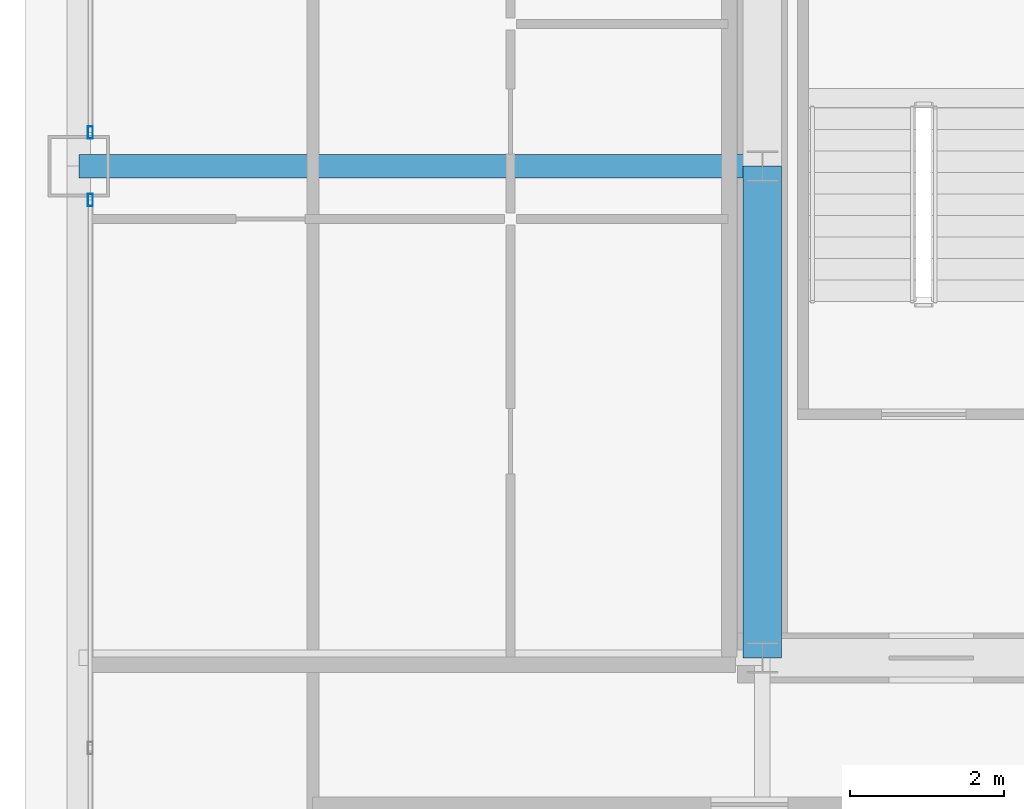
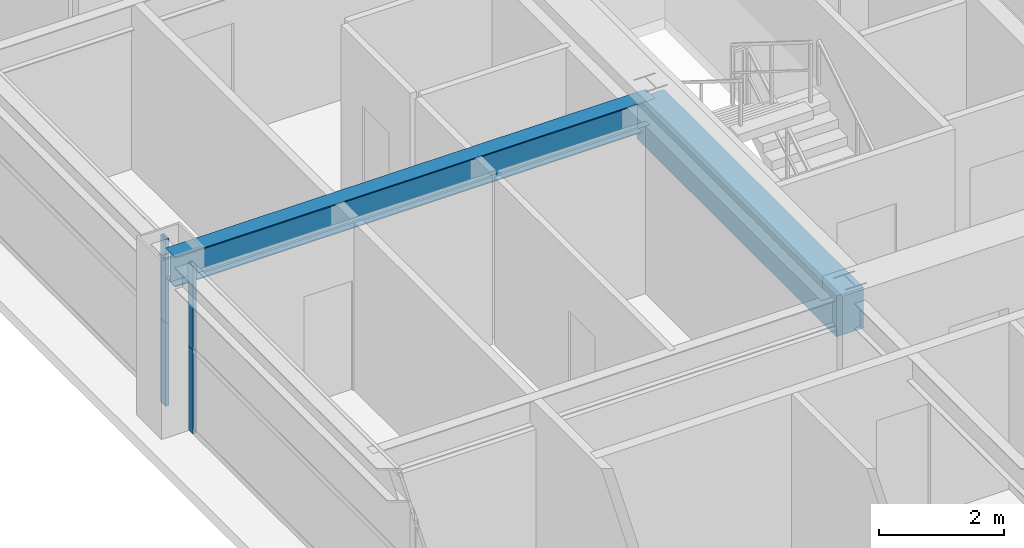
# One storey, part 12 of 38: 4 members, 2 beams, 2 elements without a shape of their own.
"""IFC4 building model written with IfcOpenShell, lengths in metres."""

from ifc_helpers import new_model, si_unit, direction, frame, origin, origin_2d, place, context, subcontext, project, spatial, rectangle, hollow_rectangle, i_section, extrude, source, transform, mapped, material, layer, layer_set, material_profile, profile_set, type_object, element, aggregate, save


model = new_model("IFC4")

# Units and contexts
model_context = context("Model", 3, precision=1e-05, world=origin(), true_north=direction((0.0, 1.0)))
body_context = subcontext(model_context, "Body", "Model", "MODEL_VIEW")
ifc_project = project(units=[si_unit("LENGTHUNIT", "METRE"), si_unit("AREAUNIT", "SQUARE_METRE"), si_unit("VOLUMEUNIT", "CUBIC_METRE"), si_unit("PLANEANGLEUNIT", "RADIAN"), si_unit("MASSUNIT", "GRAM", prefix="KILO"), si_unit("THERMODYNAMICTEMPERATUREUNIT", "KELVIN"), si_unit("POWERUNIT", "WATT")], contexts=[model_context])

# Site, building, storey
site_placement = place(None, origin())
site = spatial("IfcSite", under=ifc_project, at=site_placement, CompositionType="ELEMENT")
building_placement = place(site_placement, origin())
building = spatial("IfcBuilding", under=site, at=building_placement, Name="Yuzanri Waterfront Tower", CompositionType="ELEMENT")
storey_placement = place(building_placement, frame((0.0, 0.0, 202.0)))
storey = spatial("IfcBuildingStorey", under=building, at=storey_placement, Name="L53", CompositionType="ELEMENT", Elevation=202.0)

# Beams
ifc_material_1 = material(Name="Steel Q355B", Category="steel")
ifc_material_profile_1 = material_profile(ifc_material_1, i_section(OverallWidth=0.300048828125, OverallDepth=0.587890625, WebThickness=0.011962890625, FlangeThickness=0.02001953125, at=origin_2d()), Name="HM 588x300x12x20")
ifc_profile_set_1 = profile_set([ifc_material_profile_1], Name="Steel Q355B")
beam_type_1 = type_object("IfcBeamType", Name="Primary Floor Girder Q355B HM 588x300", PredefinedType="BEAM", material=ifc_profile_set_1)
shared_shape_1 = source(origin(), body_context, "Body", "SweptSolid", [
    extrude(i_section(OverallWidth=0.300048828125, OverallDepth=0.587890625, WebThickness=0.011962890625, FlangeThickness=0.02001953125, at=origin_2d()), origin(), (0.0, 0.0, 1.0), 8.900146484375),
])
beam_1_placement = place(storey_placement, frame((23.800048828125, 25.800048828125, 2.986083984375), z_axis=(-1.0, 0.0, 0.0), x_axis=(0.0, -1.0, 0.0)))
element("IfcBeam", 1, at=beam_1_placement, inside=storey, type_object=beam_type_1, Name="L53 West Grid Girder", PredefinedType="BEAM", context=body_context, shape_type="MappedRepresentation", body=[
    mapped(shared_shape_1, transform((0.0, 0.0, 0.0), scale=1.0)),
])
ifc_material_2 = material(Name="Concrete C50", Category="concrete")
ifc_material_profile_2 = material_profile(ifc_material_2, rectangle(XDim=0.5, YDim=0.800048828125, at=origin_2d()), Name="RC 500x800")
ifc_profile_set_2 = profile_set([ifc_material_profile_2], Name="Concrete C50")
beam_type_2 = type_object("IfcBeamType", Name="Core Coupling Lintel Concrete C50 500x800", PredefinedType="LINTEL", material=ifc_profile_set_2)
shared_shape_2 = source(origin(), body_context, "Body", "SweptSolid", [
    extrude(rectangle(XDim=0.5, YDim=0.800048828125, at=origin_2d()), origin(), (0.0, 0.0, 1.0), 6.400146484375),
])
beam_2_placement = place(storey_placement, frame((23.800048828125, 19.39990234375, 2.8798828125), z_axis=(0.0, 1.0, 0.0), x_axis=(-1.0, 0.0, 0.0)))
element("IfcBeam", 2, at=beam_2_placement, inside=storey, type_object=beam_type_2, Name="L53 Core Tie Beam CW1", PredefinedType="LINTEL", context=body_context, shape_type="MappedRepresentation", body=[
    mapped(shared_shape_2, transform((0.0, 0.0, 0.0), scale=1.0)),
])

# Curtain wall, members
ifc_material_3 = material(Name="Anodized Architectural Bronze", Category="metal")
ifc_layer = layer(ifc_material_3, 0.159912109375)
ifc_layer_set = layer_set([ifc_layer], Name="Anodized Architectural Bronze")
curtain_wall_type = type_object("IfcCurtainWallType", Name="Anodized Bronze Mid-Rise Residential Acoustic Unitized Curtain Wall 7200", PredefinedType="NOTDEFINED", material=ifc_layer_set)
curtain_wall_1_placement = place(storey_placement, origin())
curtain_wall_1 = element("IfcCurtainWall", 3, at=curtain_wall_1_placement, inside=storey, type_object=curtain_wall_type, Name="L53 Curtain Wall CW-L53-WL", PredefinedType="NOTDEFINED")
ifc_material_4 = material(Name="Anodized Architectural Bronze", Category="metal")
ifc_material_profile_3 = material_profile(ifc_material_4, hollow_rectangle(XDim=0.06494140625, YDim=0.159912109375, WallThickness=0.00341796875, at=origin_2d()), Name="CWM 65x160")
ifc_profile_set_3 = profile_set([ifc_material_profile_3], Name="Anodized Architectural Bronze")
member_type = type_object("IfcMemberType", Name="Anodized Bronze Upper-Zone Curtain-Wall Mullion 65x160", PredefinedType="MULLION", material=ifc_profile_set_3)
shared_shape_3 = source(origin(), body_context, "Body", "SweptSolid", [
    extrude(hollow_rectangle(XDim=0.06494140625, YDim=0.159912109375, WallThickness=0.00341796875, at=origin_2d()), origin(), (0.0, 0.0, 1.0), 1.637939453125),
])
member_1_placement = place(storey_placement, frame((15.050048828125, 25.360107421875, 0.0), z_axis=(0.0, 0.0, 1.0), x_axis=(1.0, 0.0, 0.0)))
member_1 = element("IfcMember", 4, at=member_1_placement, type_object=member_type, Name="CW-L53-WL Lower Mullion 02", PredefinedType="MULLION", context=body_context, shape_type="MappedRepresentation", body=[
    mapped(shared_shape_3, transform((0.0, 0.0, 0.0), scale=1.0)),
])
member_2_placement = place(storey_placement, frame((15.050048828125, 25.360107421875, 1.64208984375), z_axis=(0.0, 0.0, 1.0), x_axis=(1.0, 0.0, 0.0)))
member_2 = element("IfcMember", 5, at=member_2_placement, type_object=member_type, Name="CW-L53-WL Upper Mullion 02", PredefinedType="MULLION", context=body_context, shape_type="MappedRepresentation", body=[
    mapped(shared_shape_3, transform((0.0, 0.0, 0.0), scale=1.0)),
])
aggregate(curtain_wall_1, [member_1, member_2])

curtain_wall_2_placement = place(storey_placement, origin())
curtain_wall_2 = element("IfcCurtainWall", 6, at=curtain_wall_2_placement, inside=storey, type_object=curtain_wall_type, Name="L53 Curtain Wall CW-L53-WR", PredefinedType="NOTDEFINED")
member_3_placement = place(storey_placement, frame((15.050048828125, 26.239990234375, 0.0), z_axis=(0.0, 0.0, 1.0), x_axis=(1.0, 0.0, 0.0)))
member_3 = element("IfcMember", 7, at=member_3_placement, type_object=member_type, Name="CW-L53-WR Lower Mullion 00", PredefinedType="MULLION", context=body_context, shape_type="MappedRepresentation", body=[
    mapped(shared_shape_3, transform((0.0, 0.0, 0.0), scale=1.0)),
])
member_4_placement = place(storey_placement, frame((15.050048828125, 26.239990234375, 1.64208984375), z_axis=(0.0, 0.0, 1.0), x_axis=(1.0, 0.0, 0.0)))
member_4 = element("IfcMember", 8, at=member_4_placement, type_object=member_type, Name="CW-L53-WR Upper Mullion 00", PredefinedType="MULLION", context=body_context, shape_type="MappedRepresentation", body=[
    mapped(shared_shape_3, transform((0.0, 0.0, 0.0), scale=1.0)),
])
aggregate(curtain_wall_2, [member_3, member_4])

save(model, "model.ifc")
